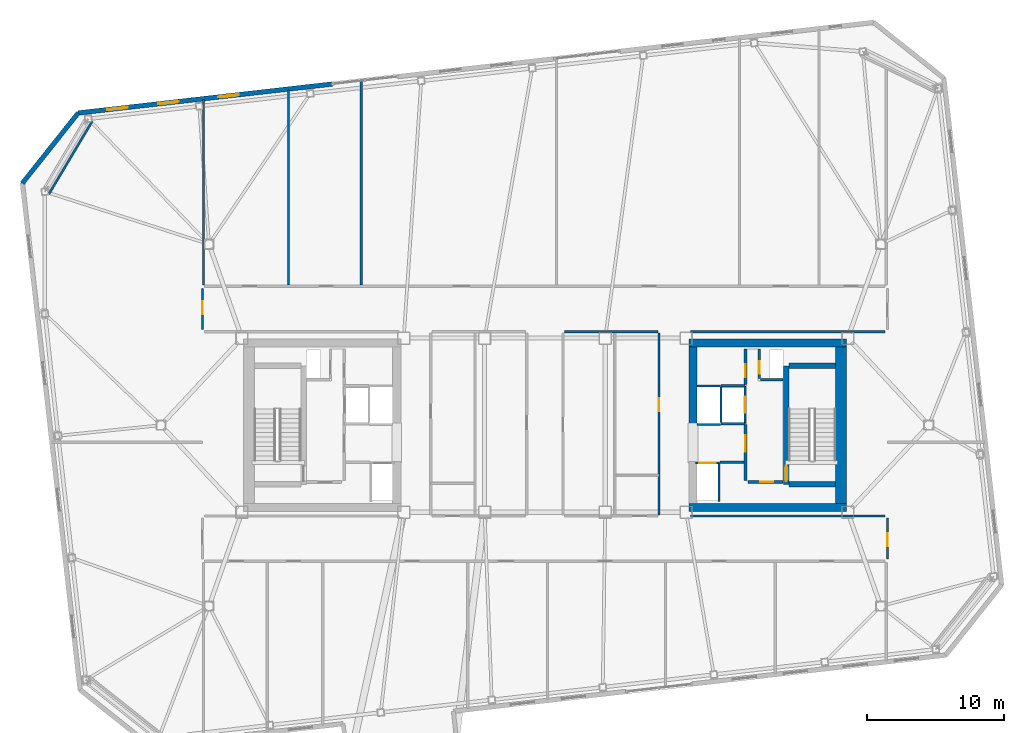
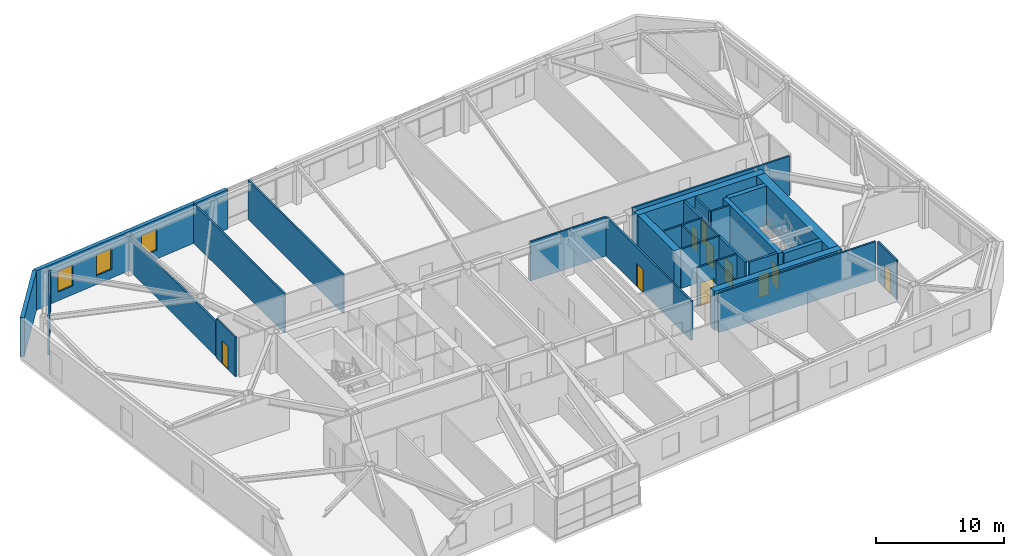
# One storey, part 15 of 19: 33 walls, 10 doors, 3 windows, 13 openings.
"""IFC4 building model written with IfcOpenShell, lengths in metres."""

from ifc_helpers import new_model, si_unit, direction, frame, frame_2d, origin, place, context, subcontext, project, spatial, rectangle, extrude, material, layer, layer_set, type_object, element, fill, save


model = new_model("IFC4")

# Units and contexts
model_context = context("Model", 3, precision=1e-05, world=origin(), true_north=direction((0.0, 1.0)))
body_context = subcontext(model_context, "Body", "Model", "MODEL_VIEW")
ifc_project = project(units=[si_unit("LENGTHUNIT", "METRE"), si_unit("AREAUNIT", "SQUARE_METRE"), si_unit("VOLUMEUNIT", "CUBIC_METRE"), si_unit("PLANEANGLEUNIT", "RADIAN"), si_unit("MASSUNIT", "GRAM", prefix="KILO")], contexts=[model_context])

# Site, building, storey
site_placement = place(None, origin())
site = spatial("IfcSite", under=ifc_project, at=site_placement, CompositionType="ELEMENT")
building_placement = place(site_placement, origin())
building = spatial("IfcBuilding", under=site, at=building_placement, Name="Tavrogorsk Clinical Tower", CompositionType="ELEMENT")
storey_placement = place(building_placement, frame((0.0, 0.0, 218.199951171875)))
storey = spatial("IfcBuildingStorey", under=building, at=storey_placement, Name="L50", CompositionType="ELEMENT", Elevation=218.199951171875)

# Wall, opening, door
ifc_material_1 = material(Name="Concrete B60", Category="concrete")
ifc_layer_1 = layer(ifc_material_1, 0.199951171875)
ifc_layer_set_1 = layer_set([ifc_layer_1], Name="Concrete B60")
wall_type_1 = type_object("IfcWallType", Name="CoreFireWall_200", PredefinedType="SOLIDWALL", material=ifc_layer_set_1)
wall_1_placement = place(storey_placement, frame((14.824951171875, -4.139892578125, 0.0), z_axis=(0.0, 0.0, 1.0), x_axis=(1.0, 0.0, 0.0)))
wall_1 = element("IfcWall", 1, at=wall_1_placement, inside=storey, type_object=wall_type_1, Name="L50 Core East South Core Room Fire Wall", PredefinedType="SOLIDWALL", context=body_context, shape_type="SweptSolid", body=[
    extrude(rectangle(XDim=2.554931640625, YDim=0.199951171875, at=frame_2d((1.27734375, 0.0))), origin(), (0.0, 0.0, 1.0), 3.739990234375),
])
opening_1_placement = place(wall_1_placement, frame((0.8798828125, 0.0, 0.0)))
opening_1 = element("IfcOpeningElement", 2, at=opening_1_placement, cuts=wall_1, Name="Opening ID-02", PredefinedType="OPENING", context=body_context, shape_type="SweptSolid", body=[
    extrude(rectangle(XDim=0.949951171875, YDim=2.199951171875, at=frame_2d((0.47509765625, 1.10009765625))), frame((0.0, 0.10986328125, 0.0), z_axis=(0.0, -1.0, 0.0), x_axis=(1.0, 0.0, 0.0)), (0.0, 0.0, 1.0), 0.219970703125),
])
ifc_material_2 = material(Name="Laminated timber leaf on aluminium frame", Category="wood")
door_type_1 = type_object("IfcDoorType", Name="InteriorDoor_ID02_950", OperationType="NOTDEFINED", PredefinedType="DOOR", material=ifc_material_2)
door_1_placement = place(opening_1_placement, origin())
door_1 = element("IfcDoor", 3, at=door_1_placement, inside=storey, type_object=door_type_1, Name="L50 Core East South Core Room Door", OperationType="SINGLE_SWING_RIGHT", OverallHeight=2.199951171875, OverallWidth=0.949951171875, PredefinedType="DOOR", context=body_context, shape_type="SweptSolid", body=[
    extrude(rectangle(XDim=0.949951171875, YDim=2.199951171875, at=frame_2d((0.47509765625, 1.10009765625))), frame((0.0, 0.02490234375, 0.0), z_axis=(0.0, -1.0, 0.0), x_axis=(1.0, 0.0, 0.0)), (0.0, 0.0, 1.0), 0.050048828125),
])
fill(opening_1, door_1)

wall_2_placement = place(storey_placement, frame((14.639892578125, 2.9599609375, 0.0), z_axis=(0.0, 0.0, 1.0), x_axis=(0.0, 1.0, 0.0)))
wall_2 = element("IfcWall", 4, at=wall_2_placement, inside=storey, type_object=wall_type_1, Name="L50 Core East North Core Room East Wall", PredefinedType="SOLIDWALL", context=body_context, shape_type="SweptSolid", body=[
    extrude(rectangle(XDim=2.60009765625, YDim=0.199951171875, at=frame_2d((1.300048828125, 0.0))), origin(), (0.0, 0.0, 1.0), 3.739990234375),
])
opening_2_placement = place(wall_2_placement, frame((0.52001953125, 0.0, 0.0)))
opening_2 = element("IfcOpeningElement", 5, at=opening_2_placement, cuts=wall_2, Name="Opening ID-02", PredefinedType="OPENING", context=body_context, shape_type="SweptSolid", body=[
    extrude(rectangle(XDim=0.949951171875, YDim=2.199951171875, at=frame_2d((0.47509765625, 1.10009765625))), frame((0.0, 0.10986328125, 0.0), z_axis=(0.0, -1.0, 0.0), x_axis=(1.0, 0.0, 0.0)), (0.0, 0.0, 1.0), 0.219970703125),
])
door_2_placement = place(opening_2_placement, origin())
door_2 = element("IfcDoor", 6, at=door_2_placement, inside=storey, type_object=door_type_1, Name="L50 Core East Core Telemetry Room Door", OperationType="SINGLE_SWING_LEFT", OverallHeight=2.199951171875, OverallWidth=0.949951171875, PredefinedType="DOOR", context=body_context, shape_type="SweptSolid", body=[
    extrude(rectangle(XDim=0.949951171875, YDim=2.199951171875, at=frame_2d((0.47509765625, 1.10009765625))), frame((0.0, 0.02490234375, 0.0), z_axis=(0.0, -1.0, 0.0), x_axis=(1.0, 0.0, 0.0)), (0.0, 0.0, 1.0), 0.050048828125),
])
fill(opening_2, door_2)

wall_3_placement = place(storey_placement, frame((14.639892578125, -4.034912109375, 0.0), z_axis=(0.0, 0.0, 1.0), x_axis=(0.0, 1.0, 0.0)))
wall_3 = element("IfcWall", 7, at=wall_3_placement, inside=storey, type_object=wall_type_1, Name="L50 Core East Firefighting Lobby Fire Wall", PredefinedType="SOLIDWALL", context=body_context, shape_type="SweptSolid", body=[
    extrude(rectangle(XDim=4.074951171875, YDim=0.199951171875, at=frame_2d((2.03759765625, 0.0))), origin(), (0.0, 0.0, 1.0), 3.739990234375),
])
opening_3_placement = place(wall_3_placement, frame((2.090087890625, 0.0, 0.0)))
opening_3 = element("IfcOpeningElement", 8, at=opening_3_placement, cuts=wall_3, Name="Opening FD-01", PredefinedType="OPENING", context=body_context, shape_type="SweptSolid", body=[
    extrude(rectangle(XDim=1.199951171875, YDim=2.199951171875, at=frame_2d((0.60009765625, 1.10009765625))), frame((0.0, 0.10986328125, 0.0), z_axis=(0.0, -1.0, 0.0), x_axis=(1.0, 0.0, 0.0)), (0.0, 0.0, 1.0), 0.219970703125),
])
ifc_material_3 = material(Name="Galvanised steel fire-rated door assembly", Category="steel")
door_type_2 = type_object("IfcDoorType", Name="FireDoor_FD01_1200", OperationType="NOTDEFINED", PredefinedType="DOOR", material=ifc_material_3)
door_3_placement = place(opening_3_placement, origin())
door_3 = element("IfcDoor", 9, at=door_3_placement, inside=storey, type_object=door_type_2, Name="L50 Core East Firefighting Lobby Entry Door", OperationType="SINGLE_SWING_RIGHT", OverallHeight=2.199951171875, OverallWidth=1.199951171875, PredefinedType="DOOR", context=body_context, shape_type="SweptSolid", body=[
    extrude(rectangle(XDim=1.199951171875, YDim=2.199951171875, at=frame_2d((0.60009765625, 1.10009765625))), frame((0.0, 0.02490234375, 0.0), z_axis=(0.0, -1.0, 0.0), x_axis=(1.0, 0.0, 0.0)), (0.0, 0.0, 1.0), 0.050048828125),
])
fill(opening_3, door_3)

# Walls
ifc_material_4 = material(Name="Lightweight concrete blockwork B15", Category="masonry")
ifc_layer_2 = layer(ifc_material_4, 0.159912109375)
ifc_layer_set_2 = layer_set([ifc_layer_2], Name="Lightweight concrete blockwork B15")
wall_type_2 = type_object("IfcWallType", Name="PartitionWall_160", PredefinedType="PARTITIONING", material=ifc_layer_set_2)
wall_4_placement = place(storey_placement, frame((12.77490234375, -2.699951171875, 0.0), z_axis=(0.0, 0.0, 1.0), x_axis=(1.0, 0.0, 0.0)))
element("IfcWall", 10, at=wall_4_placement, inside=storey, type_object=wall_type_2, Name="L50 Core East Freed Low-Bank North Partition", PredefinedType="PARTITIONING", context=body_context, shape_type="SweptSolid", body=[
    extrude(rectangle(XDim=1.760009765625, YDim=0.159912109375, at=frame_2d((0.8798828125, 0.0))), origin(), (0.0, 0.0, 1.0), 3.739990234375),
])
wall_5_placement = place(storey_placement, frame((-33.016357421875, 22.17138671875, 0.0), z_axis=(0.0, 0.0, 1.0), x_axis=(-0.511385266265, -0.859351563359, 0.0)))
element("IfcWall", 11, at=wall_5_placement, inside=storey, type_object=wall_type_2, Name="L50 Corner Exoskeleton Brace Furring Wall 3", PredefinedType="PARTITIONING", context=body_context, shape_type="SweptSolid", body=[
    extrude(rectangle(XDim=6.181884765625, YDim=0.159912109375, at=frame_2d((3.0908203125, 0.0))), origin(), (0.0, 0.0, 1.0), 3.739990234375),
])

# Wall, opening, door
wall_6_placement = place(storey_placement, frame((-24.97998046875, 6.985107421875, 0.0), z_axis=(0.0, 0.0, 1.0), x_axis=(0.0, 1.0, 0.0)))
wall_6 = element("IfcWall", 12, at=wall_6_placement, inside=storey, type_object=wall_type_2, Name="L50 Corridor Partition 04", PredefinedType="PARTITIONING", context=body_context, shape_type="SweptSolid", body=[
    extrude(rectangle(XDim=2.97998046875, YDim=0.159912109375, at=frame_2d((1.489990234375, 0.0))), origin(), (0.0, 0.0, 1.0), 3.739990234375),
])
opening_4_placement = place(wall_6_placement, frame((1.10009765625, 0.0, 0.0)))
opening_4 = element("IfcOpeningElement", 13, at=opening_4_placement, cuts=wall_6, Name="Opening ID-02", PredefinedType="OPENING", context=body_context, shape_type="SweptSolid", body=[
    extrude(rectangle(XDim=0.949951171875, YDim=2.199951171875, at=frame_2d((0.47509765625, 1.10009765625))), frame((0.0, 0.08984375, 0.0), z_axis=(0.0, -1.0, 0.0), x_axis=(1.0, 0.0, 0.0)), (0.0, 0.0, 1.0), 0.179931640625),
])
door_4_placement = place(opening_4_placement, origin())
door_4 = element("IfcDoor", 14, at=door_4_placement, inside=storey, type_object=door_type_1, Name="L50 W Rehabilitation Therapy Suite 2 Door", OperationType="SINGLE_SWING_LEFT", OverallHeight=2.199951171875, OverallWidth=0.949951171875, PredefinedType="DOOR", context=body_context, shape_type="SweptSolid", body=[
    extrude(rectangle(XDim=0.949951171875, YDim=2.199951171875, at=frame_2d((0.47509765625, 1.10009765625))), frame((0.0, 0.02490234375, 0.0), z_axis=(0.0, -1.0, 0.0), x_axis=(1.0, 0.0, 0.0)), (0.0, 0.0, 1.0), 0.050048828125),
])
fill(opening_4, door_4)

# Walls
for number, where, z_axis, x_axis, name in (
    (15, (24.81494140625, 6.820068359375, 0.0), (0.0, 0.0, 1.0), (-1.0, 0.0, 0.0), "L50 Corridor Partition 07"),
    (16, (10.6298828125, -6.6201171875, 0.0), (0.0, 0.0, 1.0), (1.0, 0.0, 0.0), "L50 Corridor Partition 08"),
):
    element("IfcWall", number, at=place(storey_placement, frame(where, z_axis=z_axis, x_axis=x_axis)), inside=storey, type_object=wall_type_2, Name=name, PredefinedType="PARTITIONING", context=body_context, shape_type="SweptSolid", body=[
        extrude(rectangle(XDim=14.18505859375, YDim=0.159912109375, at=frame_2d((7.092529296875, 0.0))), origin(), (0.0, 0.0, 1.0), 3.739990234375),
    ])

# Wall, opening, door
wall_7_placement = place(storey_placement, frame((24.97998046875, -6.784912109375, 0.0), z_axis=(0.0, 0.0, 1.0), x_axis=(0.0, -1.0, 0.0)))
wall_7 = element("IfcWall", 17, at=wall_7_placement, inside=storey, type_object=wall_type_2, Name="L50 Corridor Partition 09", PredefinedType="PARTITIONING", context=body_context, shape_type="SweptSolid", body=[
    extrude(rectangle(XDim=2.97998046875, YDim=0.159912109375, at=frame_2d((1.489990234375, 0.0))), origin(), (0.0, 0.0, 1.0), 3.739990234375),
])
opening_5_placement = place(wall_7_placement, frame((1.10009765625, 0.0, 0.0)))
opening_5 = element("IfcOpeningElement", 18, at=opening_5_placement, cuts=wall_7, Name="Opening ID-02", PredefinedType="OPENING", context=body_context, shape_type="SweptSolid", body=[
    extrude(rectangle(XDim=0.949951171875, YDim=2.199951171875, at=frame_2d((0.47509765625, 1.10009765625))), frame((0.0, 0.08984375, 0.0), z_axis=(0.0, -1.0, 0.0), x_axis=(1.0, 0.0, 0.0)), (0.0, 0.0, 1.0), 0.179931640625),
])
door_5_placement = place(opening_5_placement, origin())
door_5 = element("IfcDoor", 19, at=door_5_placement, inside=storey, type_object=door_type_1, Name="L50 E Senior Clinician Suite 1 Door", OperationType="SINGLE_SWING_RIGHT", OverallHeight=2.199951171875, OverallWidth=0.949951171875, PredefinedType="DOOR", context=body_context, shape_type="SweptSolid", body=[
    extrude(rectangle(XDim=0.949951171875, YDim=2.199951171875, at=frame_2d((0.47509765625, 1.10009765625))), frame((0.0, 0.02490234375, 0.0), z_axis=(0.0, -1.0, 0.0), x_axis=(1.0, 0.0, 0.0)), (0.0, 0.0, 1.0), 0.050048828125),
])
fill(opening_5, door_5)

# Wall
wall_8_placement = place(storey_placement, frame((8.235107421875, 6.820068359375, 0.0), z_axis=(0.0, 0.0, 1.0), x_axis=(-1.0, 0.0, 0.0)))
element("IfcWall", 20, at=wall_8_placement, inside=storey, type_object=wall_type_2, Name="L50 Corridor Partition 11", PredefinedType="PARTITIONING", context=body_context, shape_type="SweptSolid", body=[
    extrude(rectangle(XDim=6.820068359375, YDim=0.159912109375, at=frame_2d((3.41015625, 0.0))), origin(), (0.0, 0.0, 1.0), 3.739990234375),
])

# Wall, opening, door
wall_9_placement = place(storey_placement, frame((8.320068359375, -6.534912109375, 0.0), z_axis=(0.0, 0.0, 1.0), x_axis=(0.0, 1.0, 0.0)))
wall_9 = element("IfcWall", 21, at=wall_9_placement, inside=storey, type_object=wall_type_2, Name="L50 Corridor Partition 14", PredefinedType="PARTITIONING", context=body_context, shape_type="SweptSolid", body=[
    extrude(rectangle(XDim=13.27001953125, YDim=0.159912109375, at=frame_2d((6.635009765625, 0.0))), origin(), (0.0, 0.0, 1.0), 3.739990234375),
])
opening_6_placement = place(wall_9_placement, frame((7.535888671875, 0.0, 0.0)))
opening_6 = element("IfcOpeningElement", 22, at=opening_6_placement, cuts=wall_9, Name="Opening ID-02", PredefinedType="OPENING", context=body_context, shape_type="SweptSolid", body=[
    extrude(rectangle(XDim=0.949951171875, YDim=2.199951171875, at=frame_2d((0.47509765625, 1.10009765625))), frame((0.0, 0.08984375, 0.0), z_axis=(0.0, -1.0, 0.0), x_axis=(1.0, 0.0, 0.0)), (0.0, 0.0, 1.0), 0.179931640625),
])
door_6_placement = place(opening_6_placement, origin())
door_6 = element("IfcDoor", 23, at=door_6_placement, inside=storey, type_object=door_type_1, Name="L50 Resident Clinician Study Door", OperationType="SINGLE_SWING_LEFT", OverallHeight=2.199951171875, OverallWidth=0.949951171875, PredefinedType="DOOR", context=body_context, shape_type="SweptSolid", body=[
    extrude(rectangle(XDim=0.949951171875, YDim=2.199951171875, at=frame_2d((0.47509765625, 1.10009765625))), frame((0.0, 0.02490234375, 0.0), z_axis=(0.0, -1.0, 0.0), x_axis=(1.0, 0.0, 0.0)), (0.0, 0.0, 1.0), 0.050048828125),
])
fill(opening_6, door_6)

# Walls
wall_10_placement = place(storey_placement, frame((-24.89990234375, 10.215087890625, 0.0), z_axis=(0.0, 0.0, 1.0), x_axis=(0.0, 1.0, 0.0)))
element("IfcWall", 24, at=wall_10_placement, inside=storey, type_object=wall_type_2, Name="L50 NW Wing Closure Partition", PredefinedType="PARTITIONING", context=body_context, shape_type="SweptSolid", body=[
    extrude(rectangle(XDim=13.53125, YDim=0.159912109375, at=frame_2d((6.765625, 0.0))), origin(), (0.0, 0.0, 1.0), 3.28515625),
])
wall_11_placement = place(storey_placement, frame((-13.39990234375, 10.215087890625, 0.0), z_axis=(0.0, 0.0, 1.0), x_axis=(0.0, 1.0, 0.0)))
element("IfcWall", 25, at=wall_11_placement, inside=storey, type_object=wall_type_2, Name="L50 North Room Partition 1", PredefinedType="PARTITIONING", context=body_context, shape_type="SweptSolid", body=[
    extrude(rectangle(XDim=14.84130859375, YDim=0.159912109375, at=frame_2d((7.420654296875, 0.0))), origin(), (0.0, 0.0, 1.0), 3.739990234375),
])
wall_12_placement = place(storey_placement, frame((-18.699951171875, 10.215087890625, 0.0), z_axis=(0.0, 0.0, 1.0), x_axis=(0.0, 1.0, 0.0)))
element("IfcWall", 26, at=wall_12_placement, inside=storey, type_object=wall_type_2, Name="L50 North Sub-Partition 1", PredefinedType="PARTITIONING", context=body_context, shape_type="SweptSolid", body=[
    extrude(rectangle(XDim=14.237548828125, YDim=0.159912109375, at=frame_2d((7.11865234375, 0.0))), origin(), (0.0, 0.0, 1.0), 3.739990234375),
])

# Wall, openings, windows
ifc_material_5 = material(Name="Precast concrete B45 with limestone cladding", Category="masonry")
ifc_layer_3 = layer(ifc_material_5, 0.340087890625)
ifc_layer_set_3 = layer_set([ifc_layer_3], Name="Precast concrete B45 with limestone cladding")
wall_type_3 = type_object("IfcWallType", Name="PrecastLimestoneWall_340", PredefinedType="STANDARD", material=ifc_layer_set_3)
wall_13_placement = place(storey_placement, frame((-15.510498046875, 24.886474609375, 0.0), z_axis=(0.0, 0.0, 1.0), x_axis=(-0.993572271362, -0.113199565282, 0.0)))
wall_13 = element("IfcWall", 27, at=wall_13_placement, inside=storey, type_object=wall_type_3, Name="L50 N Limestone Facade Wall 3", PredefinedType="STANDARD", context=body_context, shape_type="SweptSolid", body=[
    extrude(rectangle(XDim=18.6513671875, YDim=0.340087890625, at=frame_2d((9.32568359375, 0.0))), origin(), (0.0, 0.0, 1.0), 3.739990234375),
])
opening_7_placement = place(wall_13_placement, frame((15.021240234375, 0.0, 0.830078125)))
opening_7 = element("IfcOpeningElement", 28, at=opening_7_placement, cuts=wall_13, Name="Opening WN-05", PredefinedType="OPENING", context=body_context, shape_type="SweptSolid", body=[
    extrude(rectangle(XDim=1.5, YDim=2.0, at=frame_2d((0.75, 1.0))), frame((0.0, 0.179931640625, 0.0), z_axis=(0.0, -1.0, 0.0), x_axis=(1.0, 0.0, 0.0)), (0.0, 0.0, 1.0), 0.360107421875),
])
opening_8_placement = place(wall_13_placement, frame((11.27294921875, 0.0, 0.830078125)))
opening_8 = element("IfcOpeningElement", 29, at=opening_8_placement, cuts=wall_13, Name="Opening WN-05", PredefinedType="OPENING", context=body_context, shape_type="SweptSolid", body=[
    extrude(rectangle(XDim=1.5, YDim=2.0, at=frame_2d((0.75, 1.0))), frame((0.0, 0.179931640625, 0.0), z_axis=(0.0, -1.0, 0.0), x_axis=(1.0, 0.0, 0.0)), (0.0, 0.0, 1.0), 0.360107421875),
])
opening_9_placement = place(wall_13_placement, frame((6.872802734375, 0.0, 0.830078125)))
opening_9 = element("IfcOpeningElement", 30, at=opening_9_placement, cuts=wall_13, Name="Opening WN-05", PredefinedType="OPENING", context=body_context, shape_type="SweptSolid", body=[
    extrude(rectangle(XDim=1.5, YDim=2.0, at=frame_2d((0.75, 1.0))), frame((0.0, 0.179931640625, 0.0), z_axis=(0.0, -1.0, 0.0), x_axis=(1.0, 0.0, 0.0)), (0.0, 0.0, 1.0), 0.360107421875),
])
ifc_material_6 = material(Name="Thermally broken aluminium frame and triple IGU", Category="aluminium")
window_type = type_object("IfcWindowType", Name="ConsultWin_1500x2000", PartitioningType="SINGLE_PANEL", PredefinedType="WINDOW", material=ifc_material_6)
window_1_placement = place(opening_7_placement, origin())
window_1 = element("IfcWindow", 31, at=window_1_placement, inside=storey, type_object=window_type, Name="L50 N Chicago Window 01", OverallHeight=2.0, OverallWidth=1.5, PartitioningType="SINGLE_PANEL", PredefinedType="WINDOW", context=body_context, shape_type="SweptSolid", body=[
    extrude(rectangle(XDim=1.5, YDim=2.0, at=frame_2d((0.75, 1.0))), frame((0.0, 0.030029296875, 0.0), z_axis=(0.0, -1.0, 0.0), x_axis=(1.0, 0.0, 0.0)), (0.0, 0.0, 1.0), 0.06005859375),
])
fill(opening_7, window_1)
window_2_placement = place(opening_8_placement, origin())
window_2 = element("IfcWindow", 32, at=window_2_placement, inside=storey, type_object=window_type, Name="L50 N Chicago Window 02", OverallHeight=2.0, OverallWidth=1.5, PartitioningType="SINGLE_PANEL", PredefinedType="WINDOW", context=body_context, shape_type="SweptSolid", body=[
    extrude(rectangle(XDim=1.5, YDim=2.0, at=frame_2d((0.75, 1.0))), frame((0.0, 0.030029296875, 0.0), z_axis=(0.0, -1.0, 0.0), x_axis=(1.0, 0.0, 0.0)), (0.0, 0.0, 1.0), 0.06005859375),
])
fill(opening_8, window_2)
window_3_placement = place(opening_9_placement, origin())
window_3 = element("IfcWindow", 33, at=window_3_placement, inside=storey, type_object=window_type, Name="L50 N Chicago Window 03", OverallHeight=2.0, OverallWidth=1.5, PartitioningType="SINGLE_PANEL", PredefinedType="WINDOW", context=body_context, shape_type="SweptSolid", body=[
    extrude(rectangle(XDim=1.5, YDim=2.0, at=frame_2d((0.75, 1.0))), frame((0.0, 0.030029296875, 0.0), z_axis=(0.0, -1.0, 0.0), x_axis=(1.0, 0.0, 0.0)), (0.0, 0.0, 1.0), 0.06005859375),
])
fill(opening_9, window_3)

# Wall
wall_14_placement = place(storey_placement, frame((-34.0419921875, 22.775146484375, 0.0), z_axis=(0.0, 0.0, 1.0), x_axis=(-0.62252823689, -0.78259733853, 0.0)))
element("IfcWall", 34, at=wall_14_placement, inside=storey, type_object=wall_type_3, Name="L50 Chamfered Corner Wall 3", PredefinedType="STANDARD", context=body_context, shape_type="SweptSolid", body=[
    extrude(rectangle(XDim=6.5478515625, YDim=0.340087890625, at=frame_2d((3.27392578125, 0.0))), origin(), (0.0, 0.0, 1.0), 3.739990234375),
])

# Wall, opening, door
ifc_material_7 = material(Name="Lightweight concrete blockwork B25", Category="masonry")
ifc_layer_4 = layer(ifc_material_7, 0.159912109375)
ifc_layer_set_4 = layer_set([ifc_layer_4], Name="Lightweight concrete blockwork B25")
wall_type_4 = type_object("IfcWallType", Name="ShaftWall_160", PredefinedType="PARTITIONING", material=ifc_layer_set_4)
wall_15_placement = place(storey_placement, frame((14.60009765625, 0.1201171875, 0.0), z_axis=(0.0, 0.0, 1.0), x_axis=(0.0, 1.0, 0.0)))
wall_15 = element("IfcWall", 35, at=wall_15_placement, inside=storey, type_object=wall_type_4, Name="L50 FFL-E Firefighting Lift Front Wall", PredefinedType="PARTITIONING", context=body_context, shape_type="SweptSolid", body=[
    extrude(rectangle(XDim=2.739990234375, YDim=0.159912109375, at=frame_2d((1.3701171875, 0.0))), origin(), (0.0, 0.0, 1.0), 3.739990234375),
])
opening_10_placement = place(wall_15_placement, frame((0.77001953125, 0.0, 0.0)))
opening_10 = element("IfcOpeningElement", 36, at=opening_10_placement, cuts=wall_15, Name="Opening LD", PredefinedType="OPENING", context=body_context, shape_type="SweptSolid", body=[
    extrude(rectangle(XDim=1.199951171875, YDim=2.199951171875, at=frame_2d((0.60009765625, 1.10009765625))), frame((0.0, 0.08984375, 0.0), z_axis=(0.0, -1.0, 0.0), x_axis=(1.0, 0.0, 0.0)), (0.0, 0.0, 1.0), 0.179931640625),
])
ifc_material_8 = material(Name="Brushed stainless steel AISI 304 sliding doors", Category="steel")
door_type_3 = type_object("IfcDoorType", Name="LiftLandingDoor_LD_1200", OperationType="SLIDING_TO_LEFT", PredefinedType="DOOR", material=ifc_material_8)
door_7_placement = place(opening_10_placement, origin())
door_7 = element("IfcDoor", 37, at=door_7_placement, inside=storey, type_object=door_type_3, Name="L50 FFL-E Sliding Lift Landing Door", OperationType="SLIDING_TO_LEFT", OverallHeight=2.199951171875, OverallWidth=1.199951171875, PredefinedType="DOOR", context=body_context, shape_type="SweptSolid", body=[
    extrude(rectangle(XDim=1.199951171875, YDim=2.199951171875, at=frame_2d((0.60009765625, 1.10009765625))), frame((0.0, 0.02490234375, 0.0), z_axis=(0.0, -1.0, 0.0), x_axis=(1.0, 0.0, 0.0)), (0.0, 0.0, 1.0), 0.050048828125),
])
fill(opening_10, door_7)

# Walls
for number, where, z_axis, x_axis, name in (
    (38, (12.840087890625, 0.10009765625, 0.0), (0.0, 0.0, 1.0), (1.0, 0.0, 0.0), "L50 FFL-E Shaft South Wall"),
    (39, (12.840087890625, 2.8798828125, 0.0), (0.0, 0.0, 1.0), (1.0, 0.0, 0.0), "L50 FFL-E Shaft North Wall"),
):
    element("IfcWall", number, at=place(storey_placement, frame(where, z_axis=z_axis, x_axis=x_axis)), inside=storey, type_object=wall_type_4, Name=name, PredefinedType="PARTITIONING", context=body_context, shape_type="SweptSolid", body=[
        extrude(rectangle(XDim=1.760009765625, YDim=0.159912109375, at=frame_2d((0.8798828125, 0.0))), origin(), (0.0, 0.0, 1.0), 3.739990234375),
    ])
wall_16_placement = place(storey_placement, frame((12.840087890625, 0.179931640625, 0.0), z_axis=(0.0, 0.0, 1.0), x_axis=(0.0, 1.0, 0.0)))
element("IfcWall", 40, at=wall_16_placement, inside=storey, type_object=wall_type_4, Name="L50 FFL-E Shaft Back Wall", PredefinedType="PARTITIONING", context=body_context, shape_type="SweptSolid", body=[
    extrude(rectangle(XDim=2.6201171875, YDim=0.159912109375, at=frame_2d((1.31005859375, 0.0))), origin(), (0.0, 0.0, 1.0), 3.739990234375),
])

# Wall, opening, door
wall_17_placement = place(storey_placement, frame((10.969970703125, -2.75, 0.0), z_axis=(0.0, 0.0, 1.0), x_axis=(1.0, 0.0, 0.0)))
wall_17 = element("IfcWall", 41, at=wall_17_placement, inside=storey, type_object=wall_type_4, Name="L50 LP-M2 Lift Shaft Portal Wall", PredefinedType="PARTITIONING", context=body_context, shape_type="SweptSolid", body=[
    extrude(rectangle(XDim=1.760009765625, YDim=0.159912109375, at=frame_2d((0.8798828125, 0.0))), origin(), (0.0, 0.0, 1.0), 3.739990234375),
])
opening_11_placement = place(wall_17_placement, frame((0.280029296875, 0.0, 0.0)))
opening_11 = element("IfcOpeningElement", 42, at=opening_11_placement, cuts=wall_17, Name="Opening LD", PredefinedType="OPENING", context=body_context, shape_type="SweptSolid", body=[
    extrude(rectangle(XDim=1.199951171875, YDim=2.199951171875, at=frame_2d((0.60009765625, 1.10009765625))), frame((0.0, 0.08984375, 0.0), z_axis=(0.0, -1.0, 0.0), x_axis=(1.0, 0.0, 0.0)), (0.0, 0.0, 1.0), 0.179931640625),
])
door_8_placement = place(opening_11_placement, origin())
door_8 = element("IfcDoor", 43, at=door_8_placement, inside=storey, type_object=door_type_3, Name="L50 LP-M2 Sliding Lift Landing Door", OperationType="SLIDING_TO_LEFT", OverallHeight=2.199951171875, OverallWidth=1.199951171875, PredefinedType="DOOR", context=body_context, shape_type="SweptSolid", body=[
    extrude(rectangle(XDim=1.199951171875, YDim=2.199951171875, at=frame_2d((0.60009765625, 1.10009765625))), frame((0.0, 0.02490234375, 0.0), z_axis=(0.0, -1.0, 0.0), x_axis=(1.0, 0.0, 0.0)), (0.0, 0.0, 1.0), 0.050048828125),
])
fill(opening_11, door_8)

# Walls
for number, where, z_axis, x_axis, name in (
    (44, (11.10009765625, 0.06005859375, 0.0), (0.0, 0.0, 1.0), (1.0, 0.0, 0.0), "L50 LP-H2 High-Zone Lift Portal Wall"),
    (45, (11.10009765625, 2.860107421875, 0.0), (0.0, 0.0, 1.0), (1.0, 0.0, 0.0), "L50 LP-H2 High-Zone Lift Rear Wall"),
):
    element("IfcWall", number, at=place(storey_placement, frame(where, z_axis=z_axis, x_axis=x_axis)), inside=storey, type_object=wall_type_4, Name=name, PredefinedType="PARTITIONING", context=body_context, shape_type="SweptSolid", body=[
        extrude(rectangle(XDim=1.719970703125, YDim=0.159912109375, at=frame_2d((0.85986328125, 0.0))), origin(), (0.0, 0.0, 1.0), 3.739990234375),
    ])

# Wall, opening, door
wall_18_placement = place(storey_placement, frame((15.639892578125, 3.405029296875, 0.0), z_axis=(0.0, 0.0, 1.0), x_axis=(0.0, 1.0, 0.0)))
wall_18 = element("IfcWall", 46, at=wall_18_placement, inside=storey, type_object=wall_type_4, Name="L50 Core East Riser West Wall", PredefinedType="PARTITIONING", context=body_context, shape_type="SweptSolid", body=[
    extrude(rectangle(XDim=2.155029296875, YDim=0.159912109375, at=frame_2d((1.07763671875, 0.0))), origin(), (0.0, 0.0, 1.0), 3.739990234375),
])
opening_12_placement = place(wall_18_placement, frame((0.35009765625, 0.0, 0.0)))
opening_12 = element("IfcOpeningElement", 47, at=opening_12_placement, cuts=wall_18, Name="Opening FD-02", PredefinedType="OPENING", context=body_context, shape_type="SweptSolid", body=[
    extrude(rectangle(XDim=0.89990234375, YDim=2.199951171875, at=frame_2d((0.449951171875, 1.10009765625))), frame((0.0, 0.08984375, 0.0), z_axis=(0.0, -1.0, 0.0), x_axis=(1.0, 0.0, 0.0)), (0.0, 0.0, 1.0), 0.179931640625),
])
ifc_material_9 = material(Name="Galvanised steel fire-rated door assembly", Category="steel")
door_type_4 = type_object("IfcDoorType", Name="FireDoor_FD02_900", OperationType="NOTDEFINED", PredefinedType="DOOR", material=ifc_material_9)
door_9_placement = place(opening_12_placement, origin())
door_9 = element("IfcDoor", 48, at=door_9_placement, inside=storey, type_object=door_type_4, Name="L50 Core East Electrical Riser Access Door", OperationType="SINGLE_SWING_LEFT", OverallHeight=2.199951171875, OverallWidth=0.89990234375, PredefinedType="DOOR", context=body_context, shape_type="SweptSolid", body=[
    extrude(rectangle(XDim=0.89990234375, YDim=2.199951171875, at=frame_2d((0.449951171875, 1.10009765625))), frame((0.0, 0.02490234375, 0.0), z_axis=(0.0, -1.0, 0.0), x_axis=(1.0, 0.0, 0.0)), (0.0, 0.0, 1.0), 0.050048828125),
])
fill(opening_12, door_9)

# Walls
wall_19_placement = place(storey_placement, frame((15.72509765625, 3.320068359375, 0.0), z_axis=(0.0, 0.0, 1.0), x_axis=(1.0, 0.0, 0.0)))
element("IfcWall", 49, at=wall_19_placement, inside=storey, type_object=wall_type_4, Name="L50 Core East Riser South Wall", PredefinedType="PARTITIONING", context=body_context, shape_type="SweptSolid", body=[
    extrude(rectangle(XDim=1.65478515625, YDim=0.159912109375, at=frame_2d((0.827392578125, 0.0))), origin(), (0.0, 0.0, 1.0), 3.739990234375),
])
wall_20_placement = place(storey_placement, frame((12.68994140625, -5.56005859375, 0.0), z_axis=(0.0, 0.0, 1.0), x_axis=(0.0, 1.0, 0.0)))
element("IfcWall", 50, at=wall_20_placement, inside=storey, type_object=wall_type_4, Name="L50 Core East Freed Low-Bank Shaft Divider", PredefinedType="PARTITIONING", context=body_context, shape_type="SweptSolid", body=[
    extrude(rectangle(XDim=2.775146484375, YDim=0.159912109375, at=frame_2d((1.3876953125, 0.0))), origin(), (0.0, 0.0, 1.0), 3.739990234375),
])

# Wall, opening, door
ifc_material_10 = material(Name="Concrete B80", Category="concrete")
ifc_layer_5 = layer(ifc_material_10, 0.39990234375)
ifc_layer_set_5 = layer_set([ifc_layer_5], Name="Concrete B80")
wall_type_5 = type_object("IfcWallType", Name="ShearWall_400", PredefinedType="SHEAR", material=ifc_layer_set_5)
wall_21_placement = place(storey_placement, frame((17.60009765625, -4.324951171875, 0.0), z_axis=(0.0, 0.0, 1.0), x_axis=(0.0, 1.0, 0.0)))
wall_21 = element("IfcWall", 51, at=wall_21_placement, inside=storey, type_object=wall_type_5, Name="L50 Core East Stair Shaft Inner Shear Wall", PredefinedType="SHEAR", context=body_context, shape_type="SweptSolid", body=[
    extrude(rectangle(XDim=8.64990234375, YDim=0.39990234375, at=frame_2d((4.324951171875, 0.0))), origin(), (0.0, 0.0, 1.0), 3.739990234375),
])
opening_13_placement = place(wall_21_placement, frame((0.25, 0.0, 0.0)))
opening_13 = element("IfcOpeningElement", 52, at=opening_13_placement, cuts=wall_21, Name="Opening SD-01", PredefinedType="OPENING", context=body_context, shape_type="SweptSolid", body=[
    extrude(rectangle(XDim=1.10009765625, YDim=2.199951171875, at=frame_2d((0.550048828125, 1.10009765625))), frame((0.0, 0.2099609375, 0.0), z_axis=(0.0, -1.0, 0.0), x_axis=(1.0, 0.0, 0.0)), (0.0, 0.0, 1.0), 0.419921875),
])
ifc_material_11 = material(Name="Galvanised steel smoke-tight fire door assembly", Category="steel")
door_type_5 = type_object("IfcDoorType", Name="StairFireDoor_SD01_1100", OperationType="NOTDEFINED", PredefinedType="DOOR", material=ifc_material_11)
door_10_placement = place(opening_13_placement, origin())
door_10 = element("IfcDoor", 53, at=door_10_placement, inside=storey, type_object=door_type_5, Name="L50 ST-E Exit Stair Door", OperationType="SINGLE_SWING_RIGHT", OverallHeight=2.199951171875, OverallWidth=1.10009765625, PredefinedType="DOOR", context=body_context, shape_type="SweptSolid", body=[
    extrude(rectangle(XDim=1.10009765625, YDim=2.199951171875, at=frame_2d((0.550048828125, 1.10009765625))), frame((0.0, 0.02490234375, 0.0), z_axis=(0.0, -1.0, 0.0), x_axis=(1.0, 0.0, 0.0)), (0.0, 0.0, 1.0), 0.050048828125),
])
fill(opening_13, door_10)

# Walls
for number, where, z_axis, x_axis, name in (
    (54, (17.800048828125, -4.324951171875, 0.0), (0.0, 0.0, 1.0), (1.0, 0.0, 0.0), "L50 Core East Stair Shaft South Shear Wall"),
    (55, (17.800048828125, 4.324951171875, 0.0), (0.0, 0.0, 1.0), (1.0, 0.0, 0.0), "L50 Core East Stair Shaft North Shear Wall"),
):
    element("IfcWall", number, at=place(storey_placement, frame(where, z_axis=z_axis, x_axis=x_axis)), inside=storey, type_object=wall_type_5, Name=name, PredefinedType="SHEAR", context=body_context, shape_type="SweptSolid", body=[
        extrude(rectangle(XDim=3.39990234375, YDim=0.39990234375, at=frame_2d((1.699951171875, 0.0))), origin(), (0.0, 0.0, 1.0), 3.739990234375),
    ])
ifc_material_12 = material(Name="Concrete B80", Category="concrete")
ifc_layer_6 = layer(ifc_material_12, 0.60009765625)
ifc_layer_set_6 = layer_set([ifc_layer_6], Name="Concrete B80")
wall_type_6 = type_object("IfcWallType", Name="ShearWall_600", PredefinedType="SHEAR", material=ifc_layer_set_6)
for number, where, z_axis, x_axis, name in (
    (56, (10.5, 6.0, 0.0), (0.0, 0.0, 1.0), (1.0, 0.0, 0.0), "L50 Core East North Shear Wall"),
    (57, (10.5, -6.0, 0.0), (0.0, 0.0, 1.0), (1.0, 0.0, 0.0), "L50 Core East South Shear Wall"),
):
    element("IfcWall", number, at=place(storey_placement, frame(where, z_axis=z_axis, x_axis=x_axis)), inside=storey, type_object=wall_type_6, Name=name, PredefinedType="SHEAR", context=body_context, shape_type="SweptSolid", body=[
        extrude(rectangle(XDim=11.5, YDim=0.60009765625, at=frame_2d((5.75, 0.0))), origin(), (0.0, 0.0, 1.0), 3.739990234375),
    ])
wall_22_placement = place(storey_placement, frame((10.800048828125, 0.050048828125, 0.0), z_axis=(0.0, 0.0, 1.0), x_axis=(0.0, 1.0, 0.0)))
element("IfcWall", 58, at=wall_22_placement, inside=storey, type_object=wall_type_6, Name="L50 Core East Inner North Pier", PredefinedType="SHEAR", context=body_context, shape_type="SweptSolid", body=[
    extrude(rectangle(XDim=5.64990234375, YDim=0.60009765625, at=frame_2d((2.824951171875, 0.0))), origin(), (0.0, 0.0, 1.0), 3.739990234375),
])
ifc_material_13 = material(Name="Concrete B80", Category="concrete")
ifc_layer_7 = layer(ifc_material_13, 0.800048828125)
ifc_layer_set_7 = layer_set([ifc_layer_7], Name="Concrete B80")
wall_type_7 = type_object("IfcWallType", Name="ShearWall_800", PredefinedType="SHEAR", material=ifc_layer_set_7)
wall_23_placement = place(storey_placement, frame((21.60009765625, -5.699951171875, 0.0), z_axis=(0.0, 0.0, 1.0), x_axis=(0.0, 1.0, 0.0)))
element("IfcWall", 59, at=wall_23_placement, inside=storey, type_object=wall_type_7, Name="L50 Core East End Shear Wall", PredefinedType="SHEAR", context=body_context, shape_type="SweptSolid", body=[
    extrude(rectangle(XDim=11.39990234375, YDim=0.800048828125, at=frame_2d((5.699951171875, 0.0))), origin(), (0.0, 0.0, 1.0), 3.739990234375),
])

save(model, "model.ifc")
